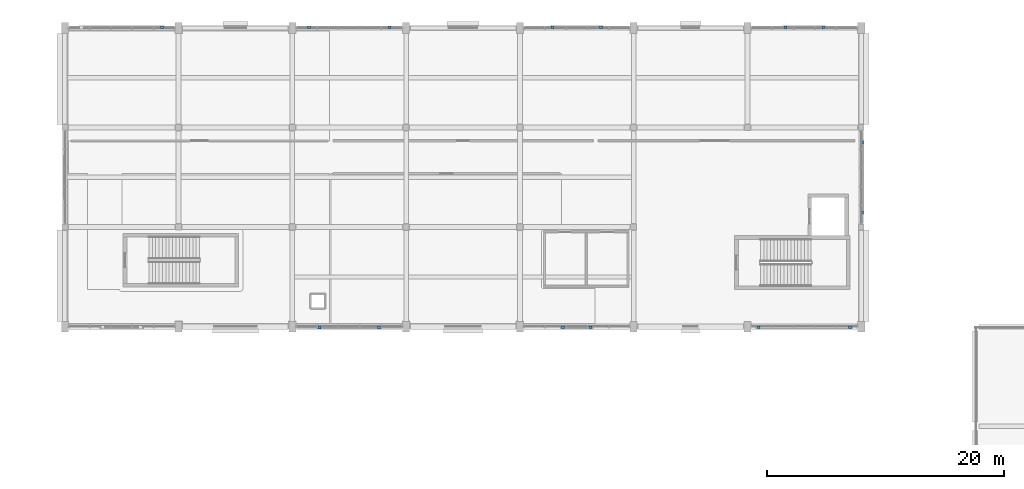
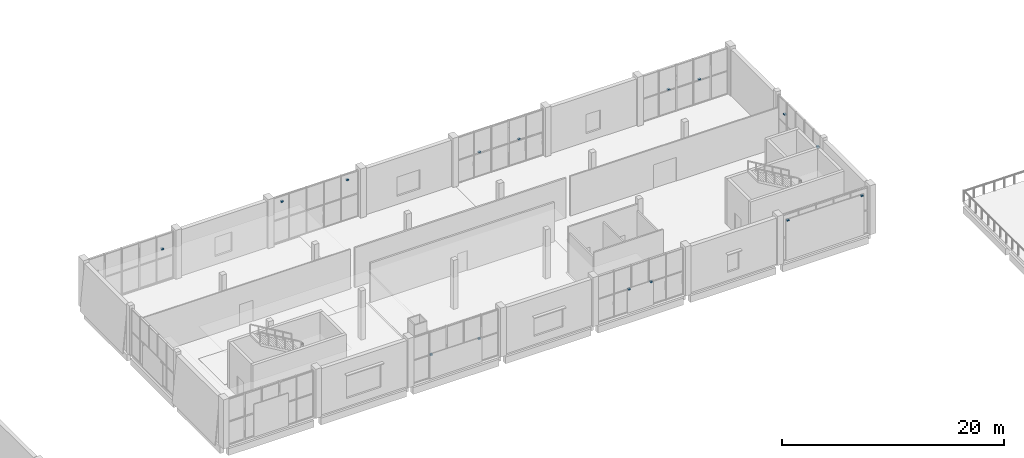
# One storey, part 66 of 83: 15 discrete accessories.
"""IFC4 building model written with IfcOpenShell, lengths in metres."""

from ifc_helpers import new_model, si_unit, direction, frame, origin, origin_2d, place, context, subcontext, project, spatial, rectangle, extrude, material, type_object, element, save


model = new_model("IFC4")

# Units and contexts
model_context = context("Model", 3, precision=1e-05, world=origin(), true_north=direction((0.0, 1.0)))
body_context = subcontext(model_context, "Body", "Model", "MODEL_VIEW")
ifc_project = project(units=[si_unit("LENGTHUNIT", "METRE"), si_unit("AREAUNIT", "SQUARE_METRE"), si_unit("VOLUMEUNIT", "CUBIC_METRE"), si_unit("PLANEANGLEUNIT", "RADIAN"), si_unit("MASSUNIT", "GRAM", prefix="KILO")], contexts=[model_context])

# Site, building, storey
site_placement = place(None, origin())
site = spatial("IfcSite", under=ifc_project, at=site_placement, CompositionType="ELEMENT")
building_placement = place(site_placement, origin())
building = spatial("IfcBuilding", under=site, at=building_placement, Name="Shalvenor Court Art Gallery", CompositionType="ELEMENT")
storey_placement = place(building_placement, frame((0.0, 0.0, 6.0)))
storey = spatial("IfcBuildingStorey", under=building, at=storey_placement, Name="L01", CompositionType="ELEMENT", Elevation=6.0)

# Discrete accessories
ifc_material = material(Name="Stainless steel anchor bracket", Category="steel")
discrete_accessory_type = type_object("IfcDiscreteAccessoryType", Name="BRK-01", PredefinedType="BRACKET", material=ifc_material)
for number, where, z_axis, x_axis, name in (
    (1, (65.800048828125, 122.4765625, 3.3701171875), (0.0, 0.0, 1.0), (1.0, 0.0, 0.0), "L01 Lattice Anchor Bracket 98"),
    (2, (78.199951171875, 122.45654296875, 4.27001953125), (0.0, 0.0, 1.0), (1.0, 0.0, 0.0), "L01 Lattice Anchor Bracket 99"),
    (3, (85.0, 122.45654296875, 4.27001953125), (0.0, 0.0, 1.0), (1.0, 0.0, 0.0), "L01 Lattice Anchor Bracket 100"),
    (4, (98.75, 122.466552734375, 2.47021484375), (0.0, 0.0, 1.0), (1.0, 0.0, 0.0), "L01 Lattice Anchor Bracket 101"),
    (5, (102.85009765625, 122.466552734375, 2.47021484375), (0.0, 0.0, 1.0), (1.0, 0.0, 0.0), "L01 Lattice Anchor Bracket 102"),
    (6, (118.39990234375, 122.471435546875, 2.47021484375), (0.0, 0.0, 1.0), (1.0, 0.0, 0.0), "L01 Lattice Anchor Bracket 103"),
    (7, (121.60009765625, 122.471435546875, 2.47021484375), (0.0, 0.0, 1.0), (1.0, 0.0, 0.0), "L01 Lattice Anchor Bracket 104"),
    (8, (124.87646484375, 112.75, 3.3701171875), (0.0, 0.0, 1.0), (0.0, -1.0, 0.0), "L01 Lattice Anchor Bracket 105"),
    (9, (124.87646484375, 106.85009765625, 3.3701171875), (0.0, 0.0, 1.0), (0.0, -1.0, 0.0), "L01 Lattice Anchor Bracket 106"),
    (10, (123.85009765625, 97.142333984375, 4.27001953125), (0.0, 0.0, 1.0), (-1.0, 0.0, 0.0), "L01 Lattice Anchor Bracket 107"),
    (11, (116.14990234375, 97.142333984375, 4.27001953125), (0.0, 0.0, 1.0), (-1.0, 0.0, 0.0), "L01 Lattice Anchor Bracket 108"),
    (12, (101.949951171875, 97.134765625, 2.47021484375), (0.0, 0.0, 1.0), (-1.0, 0.0, 0.0), "L01 Lattice Anchor Bracket 109"),
    (13, (99.64990234375, 97.134765625, 2.47021484375), (0.0, 0.0, 1.0), (-1.0, 0.0, 0.0), "L01 Lattice Anchor Bracket 110"),
    (14, (84.10009765625, 97.1298828125, 2.47021484375), (0.0, 0.0, 1.0), (-1.0, 0.0, 0.0), "L01 Lattice Anchor Bracket 111"),
    (15, (79.10009765625, 97.1298828125, 2.47021484375), (0.0, 0.0, 1.0), (-1.0, 0.0, 0.0), "L01 Lattice Anchor Bracket 112"),
):
    element("IfcDiscreteAccessory", number, at=place(storey_placement, frame(where, z_axis=z_axis, x_axis=x_axis)), inside=storey, type_object=discrete_accessory_type, Name=name, PredefinedType="BRACKET", context=body_context, shape_type="SweptSolid", body=[
        extrude(rectangle(XDim=0.239990234375, YDim=0.219970703125, at=origin_2d()), origin(), (0.0, 0.0, 1.0), 0.159912109375),
    ])

save(model, "model.ifc")
